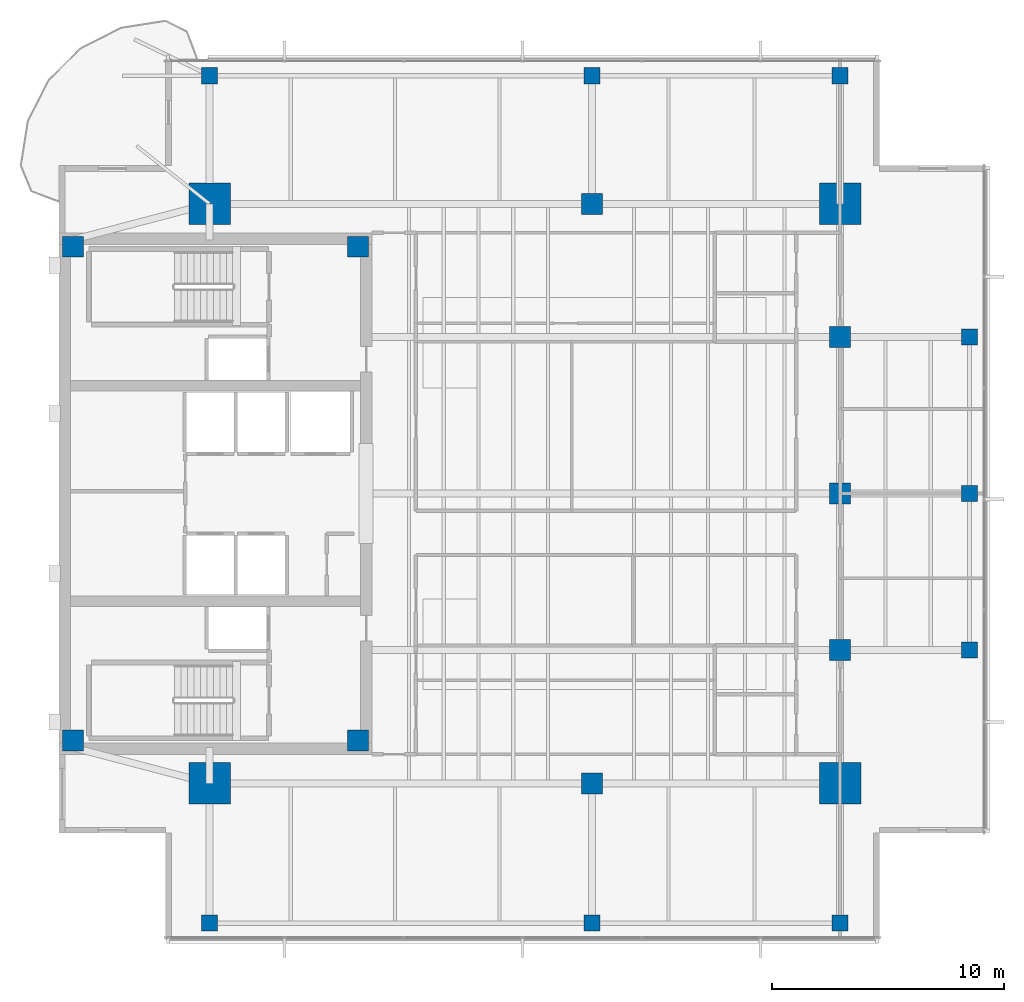
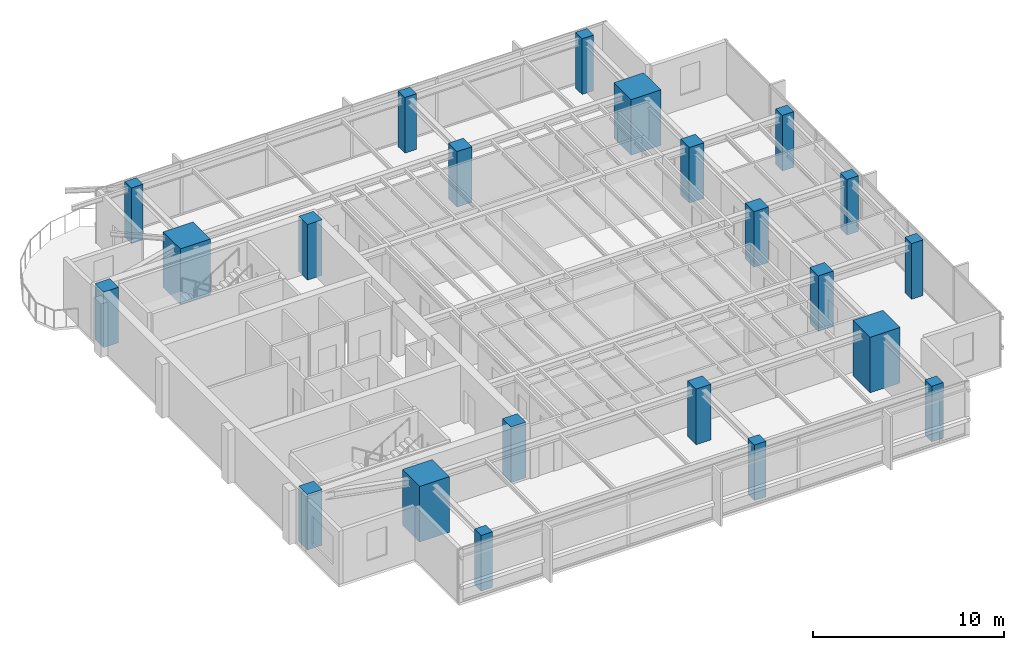
# One storey, part 1 of 14: 22 columns.
"""IFC4 building model written with IfcOpenShell, lengths in metres."""

from ifc_helpers import new_model, si_unit, direction, frame, origin, origin_2d, place, context, subcontext, project, spatial, rectangle, extrude, material, material_profile, profile_set, type_object, element, save


model = new_model("IFC4")

# Units and contexts
model_context = context("Model", 3, precision=1e-05, world=origin(), true_north=direction((0.0, 1.0)))
body_context = subcontext(model_context, "Body", "Model", "MODEL_VIEW")
ifc_project = project(units=[si_unit("LENGTHUNIT", "METRE"), si_unit("AREAUNIT", "SQUARE_METRE"), si_unit("VOLUMEUNIT", "CUBIC_METRE"), si_unit("PLANEANGLEUNIT", "RADIAN"), si_unit("MASSUNIT", "GRAM", prefix="KILO")], contexts=[model_context])

# Site, building, storey
site_placement = place(None, origin())
site = spatial("IfcSite", under=ifc_project, at=site_placement, CompositionType="ELEMENT")
building_placement = place(site_placement, origin())
building = spatial("IfcBuilding", under=site, at=building_placement, Name="Kinhvarn Gate Tower", CompositionType="ELEMENT")
storey_placement = place(building_placement, frame((0.0, 0.0, 256.35009765625)))
storey = spatial("IfcBuildingStorey", under=building, at=storey_placement, Name="L68", CompositionType="ELEMENT", Elevation=256.35009765625)

# Columns
ifc_material_1 = material(Name="Concrete C60/75", Category="concrete")
ifc_material_profile_1 = material_profile(ifc_material_1, rectangle(XDim=1.800048828125, YDim=1.800048828125, at=origin_2d()), Name="RC 1800x1800")
ifc_profile_set_1 = profile_set([ifc_material_profile_1], Name="Concrete C60/75")
column_type_1 = type_object("IfcColumnType", Name="COL-MC-1800", PredefinedType="COLUMN", material=ifc_profile_set_1)
for number, where, z_axis, x_axis, name in (
    (1, (11.0, 12.75, 0.0), (0.0, 0.0, 1.0), (1.0, 0.0, 0.0), "Column MC1-L68 (MC-18)"),
    (2, (11.0, 37.75, 0.0), (0.0, 0.0, 1.0), (1.0, 0.0, 0.0), "Column MC4-L68 (MC-18)"),
    (3, (38.199951171875, 12.75, 0.0), (0.0, 0.0, 1.0), (1.0, 0.0, 0.0), "Column MC2-L68 (MC-18)"),
    (4, (38.199951171875, 37.75, 0.0), (0.0, 0.0, 1.0), (1.0, 0.0, 0.0), "Column MC3-L68 (MC-18)"),
):
    element("IfcColumn", number, at=place(storey_placement, frame(where, z_axis=z_axis, x_axis=x_axis)), inside=storey, type_object=column_type_1, Name=name, PredefinedType="COLUMN", context=body_context, shape_type="SweptSolid", body=[
        extrude(rectangle(XDim=1.800048828125, YDim=1.800048828125, at=origin_2d()), origin(), (0.0, 0.0, 1.0), 3.5498046875),
    ])
ifc_material_2 = material(Name="Concrete C50/60", Category="concrete")
ifc_material_profile_2 = material_profile(ifc_material_2, rectangle(XDim=0.699951171875, YDim=0.699951171875, at=origin_2d()), Name="RC 700x700")
ifc_profile_set_2 = profile_set([ifc_material_profile_2], Name="Concrete C50/60")
column_type_2 = type_object("IfcColumnType", Name="COL-RC-700", PredefinedType="COLUMN", material=ifc_profile_set_2)
for number, where, z_axis, x_axis, name in (
    (5, (43.780029296875, 18.5, 0.0), (0.0, 0.0, 1.0), (1.0, 0.0, 0.0), "Column CE-1-L68 (C-070)"),
    (6, (43.780029296875, 25.25, 0.0), (0.0, 0.0, 1.0), (1.0, 0.0, 0.0), "Column CE-2-L68 (C-070)"),
    (7, (43.780029296875, 32.0, 0.0), (0.0, 0.0, 1.0), (1.0, 0.0, 0.0), "Column CE-3-L68 (C-070)"),
    (8, (11.0, 6.719970703125, 0.0), (0.0, 0.0, 1.0), (1.0, 0.0, 0.0), "Column CS-0-L68 (C-070)"),
    (9, (27.5, 6.719970703125, 0.0), (0.0, 0.0, 1.0), (1.0, 0.0, 0.0), "Column CS-1-L68 (C-070)"),
    (10, (38.199951171875, 6.719970703125, 0.0), (0.0, 0.0, 1.0), (1.0, 0.0, 0.0), "Column CS-2-L68 (C-070)"),
    (11, (11.0, 43.280029296875, 0.0), (0.0, 0.0, 1.0), (1.0, 0.0, 0.0), "Column CN-0-L68 (C-070)"),
    (12, (27.5, 43.280029296875, 0.0), (0.0, 0.0, 1.0), (1.0, 0.0, 0.0), "Column CN-1-L68 (C-070)"),
    (13, (38.199951171875, 43.280029296875, 0.0), (0.0, 0.0, 1.0), (1.0, 0.0, 0.0), "Column CN-2-L68 (C-070)"),
):
    element("IfcColumn", number, at=place(storey_placement, frame(where, z_axis=z_axis, x_axis=x_axis)), inside=storey, type_object=column_type_2, Name=name, PredefinedType="COLUMN", context=body_context, shape_type="SweptSolid", body=[
        extrude(rectangle(XDim=0.699951171875, YDim=0.699951171875, at=origin_2d()), origin(), (0.0, 0.0, 1.0), 3.5498046875),
    ])
ifc_material_profile_3 = material_profile(ifc_material_1, rectangle(XDim=0.89990234375, YDim=0.89990234375, at=origin_2d()), Name="RC 900x900")
ifc_profile_set_3 = profile_set([ifc_material_profile_3], Name="Concrete C60/75")
column_type_3 = type_object("IfcColumnType", Name="COL-RC-900", PredefinedType="COLUMN", material=ifc_profile_set_3)
for number, where, z_axis, x_axis, name in (
    (14, (27.5, 12.75, 0.0), (0.0, 0.0, 1.0), (1.0, 0.0, 0.0), "Column SP27-S-L68 (C-090)"),
    (15, (27.5, 37.75, 0.0), (0.0, 0.0, 1.0), (1.0, 0.0, 0.0), "Column SP27-N-L68 (C-090)"),
    (16, (38.199951171875, 18.5, 0.0), (0.0, 0.0, 1.0), (1.0, 0.0, 0.0), "Column SP38-E1-L68 (C-090)"),
    (17, (38.199951171875, 25.25, 0.0), (0.0, 0.0, 1.0), (1.0, 0.0, 0.0), "Column SP38-E2-L68 (C-090)"),
    (18, (38.199951171875, 32.0, 0.0), (0.0, 0.0, 1.0), (1.0, 0.0, 0.0), "Column SP38-E3-L68 (C-090)"),
):
    element("IfcColumn", number, at=place(storey_placement, frame(where, z_axis=z_axis, x_axis=x_axis)), inside=storey, type_object=column_type_3, Name=name, PredefinedType="COLUMN", context=body_context, shape_type="SweptSolid", body=[
        extrude(rectangle(XDim=0.89990234375, YDim=0.89990234375, at=origin_2d()), origin(), (0.0, 0.0, 1.0), 3.5498046875),
    ])
ifc_material_profile_4 = material_profile(ifc_material_2, rectangle(XDim=0.89990234375, YDim=0.89990234375, at=origin_2d()), Name="RC 900x900")
ifc_profile_set_4 = profile_set([ifc_material_profile_4], Name="Concrete C50/60")
column_type_4 = type_object("IfcColumnType", Name="PIL-RC-900", PredefinedType="PILASTER", material=ifc_profile_set_4)
for number, where, z_axis, x_axis, name in (
    (19, (5.10009765625, 14.60009765625, 0.0), (0.0, 0.0, 1.0), (1.0, 0.0, 0.0), "Column CC-SW-L68 (CP-090)"),
    (20, (5.10009765625, 35.89990234375, 0.0), (0.0, 0.0, 1.0), (1.0, 0.0, 0.0), "Column CC-NW-L68 (CP-090)"),
    (21, (17.39990234375, 14.60009765625, 0.0), (0.0, 0.0, 1.0), (1.0, 0.0, 0.0), "Column CC-SE-L68 (CP-090)"),
    (22, (17.39990234375, 35.89990234375, 0.0), (0.0, 0.0, 1.0), (1.0, 0.0, 0.0), "Column CC-NE-L68 (CP-090)"),
):
    element("IfcColumn", number, at=place(storey_placement, frame(where, z_axis=z_axis, x_axis=x_axis)), inside=storey, type_object=column_type_4, Name=name, PredefinedType="PILASTER", context=body_context, shape_type="SweptSolid", body=[
        extrude(rectangle(XDim=0.89990234375, YDim=0.89990234375, at=origin_2d()), origin(), (0.0, 0.0, 1.0), 3.5498046875),
    ])

save(model, "model.ifc")
